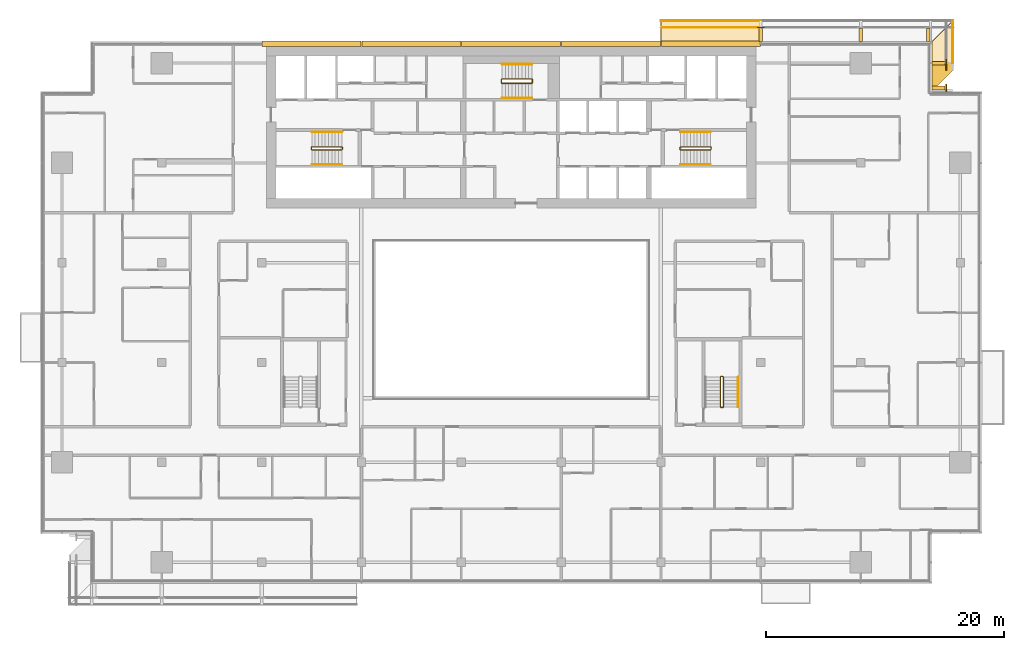
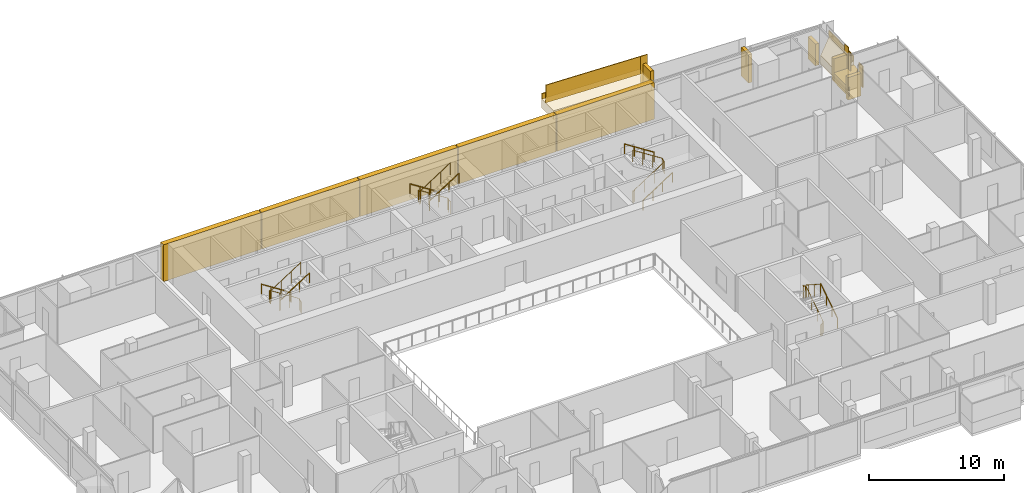
# One storey, part 27 of 30: 16 railings, 15 coverings.
"""IFC4 building model written with IfcOpenShell, lengths in metres."""

import ifcopenshell
import ifcopenshell.guid

model = None  # the IFC model being written
_history = None  # IfcOwnerHistory: only IFC2X3 demands one
_inside = {}  # id of a spatial element -> (the spatial element, [elements in it])
_under = {}  # id of a project, library or spatial element -> (it, [spatial elements below it])
_declared = {}  # id of a project -> (the project, [libraries it declares])
_typed = {}  # id of a type object -> (the type object, [elements of that type])
_made_of = {}  # id of a material, layer set ... -> (it, [elements and type objects made of it])


def new_model(schema):
    """Start an empty IFC model of exactly this schema.

    Asked for "IFC4X3", IfcOpenShell would pick the latest addendum, in which some entities
    have other attributes; the version numbers below select the first issue.
    IFC2X3 requires an IfcOwnerHistory on every rooted entity: one is made here for all.
    """
    global model, _history
    if schema == "IFC4X3":
        model = ifcopenshell.file(schema_version=(4, 3, 0, 0))
    else:
        model = ifcopenshell.file(schema=schema)
    _inside.clear()
    _under.clear()
    _declared.clear()
    _typed.clear()
    _made_of.clear()
    _history = None
    if model.schema == "IFC2X3":
        org = make("IfcOrganization", Name="unknown")
        user = make(
            "IfcPersonAndOrganization",
            ThePerson=make("IfcPerson", FamilyName="unknown"),
            TheOrganization=org,
        )
        app = make(
            "IfcApplication",
            ApplicationDeveloper=org,
            Version="unknown",
            ApplicationFullName="unknown",
            ApplicationIdentifier="unknown",
        )
        _history = make(
            "IfcOwnerHistory",
            OwningUser=user,
            OwningApplication=app,
            ChangeAction="ADDED",
            CreationDate=0,
        )
    return model


def make(cls, **values):
    """One entity of the class cls with the attributes given. An attribute that is None is left unset."""
    return model.create_entity(
        cls, **{name: value for name, value in values.items() if value is not None}
    )


def rooted(cls, **values):
    """An entity with a GlobalId (a new one), such as an element, a storey or a relation."""
    return make(cls, GlobalId=ifcopenshell.guid.new(), OwnerHistory=_history, **values)


def si_unit(unit_type, name, prefix=None):
    """IfcSIUnit, for example si_unit("LENGTHUNIT", "METRE", prefix="MILLI")."""
    return make("IfcSIUnit", UnitType=unit_type, Prefix=prefix, Name=name)


def assignment(units):
    """IfcUnitAssignment: the units of a project."""
    return None if units is None else make("IfcUnitAssignment", Units=units)


def point(xyz):
    """IfcCartesianPoint."""
    return None if xyz is None else make("IfcCartesianPoint", Coordinates=xyz)


def direction(xyz):
    """IfcDirection."""
    return None if xyz is None else make("IfcDirection", DirectionRatios=xyz)


def frame(location, z_axis=None, x_axis=None):
    """IfcAxis2Placement3D, a coordinate frame: its origin and axes. An axis left out is left unset."""
    return make(
        "IfcAxis2Placement3D",
        Location=point(location),
        Axis=direction(z_axis),
        RefDirection=direction(x_axis),
    )


def frame_2d(location, x_axis=None):
    """IfcAxis2Placement2D, a coordinate frame in the plane: its origin and x axis."""
    return make(
        "IfcAxis2Placement2D", Location=point(location), RefDirection=direction(x_axis)
    )


def origin():
    """The frame at (0, 0, 0) with its axes left unset."""
    return frame((0.0, 0.0, 0.0))


def origin_2d():
    """The frame at (0, 0) in the plane with its x axis left unset."""
    return frame_2d((0.0, 0.0))


def place(relative_to, where):
    """IfcLocalPlacement: puts the frame where relative to a parent placement (None: the world)."""
    return make(
        "IfcLocalPlacement", PlacementRelTo=relative_to, RelativePlacement=where
    )


def context(
    kind, dimensions, precision=None, world=None, true_north=None, identifier=None
):
    """IfcGeometricRepresentationContext, for example the 3D "Model" context."""
    return make(
        "IfcGeometricRepresentationContext",
        ContextIdentifier=identifier,
        ContextType=kind,
        CoordinateSpaceDimension=dimensions,
        Precision=precision,
        WorldCoordinateSystem=world,
        TrueNorth=true_north,
    )


def subcontext(parent, identifier, kind, view, scale=None):
    """IfcGeometricRepresentationSubContext, for example "Body" below "Model"."""
    return make(
        "IfcGeometricRepresentationSubContext",
        ContextIdentifier=identifier,
        ContextType=kind,
        ParentContext=parent,
        TargetScale=scale,
        TargetView=view,
    )


def project(units=None, contexts=None):
    """IfcProject with its units and contexts."""
    return rooted(
        "IfcProject",
        Name="project",
        RepresentationContexts=contexts,
        UnitsInContext=assignment(units),
    )


def spatial(cls, under=None, at=None, **own):
    """A site, building, storey or space (cls), placed at a placement, below another one or the project."""
    s = rooted(cls, ObjectPlacement=at, **own)
    if under is not None:
        _under.setdefault(under.id(), (under, []))[1].append(s)
    return s


def polyline(points):
    """IfcPolyline through the points."""
    return make("IfcPolyline", Points=[point(p) for p in points])


def profile(cls, at=None, kind="AREA", **sizes):
    """A parametric profile (cls). Its sizes go by their IFC names, for example OverallWidth=200.0."""
    return make(cls, ProfileType=kind, Position=at, **sizes)


def rectangle(**sizes):
    """IfcRectangleProfileDef."""
    return profile("IfcRectangleProfileDef", **sizes)


def circle(**sizes):
    """IfcCircleProfileDef."""
    return profile("IfcCircleProfileDef", **sizes)


def outline(outer, holes=None, kind="AREA"):
    """IfcArbitraryClosedProfileDef: a profile drawn as a closed curve; with holes, ...WithVoids."""
    if holes is None:
        return make("IfcArbitraryClosedProfileDef", ProfileType=kind, OuterCurve=outer)
    return make(
        "IfcArbitraryProfileDefWithVoids",
        ProfileType=kind,
        OuterCurve=outer,
        InnerCurves=holes,
    )


def extrude(swept, where, along, depth):
    """IfcExtrudedAreaSolid: the profile swept, set in the frame where, extruded along a direction by depth."""
    return make(
        "IfcExtrudedAreaSolid",
        SweptArea=swept,
        Position=where,
        ExtrudedDirection=direction(along),
        Depth=depth,
    )


def shape(context_of_items, identifier, shape_type, items):
    """IfcShapeRepresentation: the items that make up one representation, for example the "Body"."""
    return make(
        "IfcShapeRepresentation",
        ContextOfItems=context_of_items,
        RepresentationIdentifier=identifier,
        RepresentationType=shape_type,
        Items=items,
    )


def material(Name=None, Category=None):
    """IfcMaterial."""
    return make("IfcMaterial", Name=Name, Category=Category)


def layer(
    of_material, thickness, ventilated=None, Name=None, Category=None, Priority=None
):
    """IfcMaterialLayer: one layer of a wall or slab, of a material (None: an air gap)."""
    return make(
        "IfcMaterialLayer",
        Material=of_material,
        LayerThickness=thickness,
        IsVentilated=ventilated,
        Name=Name,
        Category=Category,
        Priority=Priority,
    )


def layer_set(layers, Name=None):
    """IfcMaterialLayerSet."""
    return make("IfcMaterialLayerSet", MaterialLayers=layers, LayerSetName=Name)


def made_of(thing, what):
    """Note that an element or type object is made of a material, layer set ...; save() writes the relation."""
    if what is not None:
        _made_of.setdefault(what.id(), (what, []))[1].append(thing)
    return thing


def type_object(cls, material=None, **own):
    """A type object (cls), such as IfcWallType, which elements share."""
    return made_of(rooted(cls, **own), material)


def element(
    cls,
    number,
    at=None,
    inside=None,
    cuts=None,
    type_object=None,
    material=None,
    context=None,
    identifier="Body",
    shape_type=None,
    held_by="IfcProductDefinitionShape",
    body=None,
    shapes=None,
    **own,
):
    """One element of the class cls, such as IfcWall. Its Tag is "e" and its number.

    at: its placement. inside: the storey or other place that contains it. cuts: it is an
    opening in that element (IfcRelVoidsElement). A single representation is given by context,
    identifier, shape_type and body (its items); several are given by shapes. held_by: the class
    of the entity that holds the representations. save() writes the other relations.
    """
    e = rooted(cls, Tag="e%d" % number, ObjectPlacement=at, **own)
    if body is not None:
        shapes = [shape(context, identifier, shape_type, body)]
    if shapes is not None:
        e.Representation = make(held_by, Representations=shapes)
    if inside is not None:
        _inside.setdefault(inside.id(), (inside, []))[1].append(e)
    if cuts is not None:
        rooted(
            "IfcRelVoidsElement", RelatingBuildingElement=cuts, RelatedOpeningElement=e
        )
    if type_object is not None:
        _typed.setdefault(type_object.id(), (type_object, []))[1].append(e)
    return made_of(e, material)


def aggregate(whole, parts):
    """IfcRelAggregates: a whole, such as a stair, and the parts it consists of."""
    return rooted("IfcRelAggregates", RelatingObject=whole, RelatedObjects=parts)


def save(model, path):
    """Write the relations noted so far, then the file.

    IfcRelAggregates (storeys below a building ...), IfcRelContainedInSpatialStructure (elements
    in a storey), IfcRelDefinesByType, IfcRelAssociatesMaterial and IfcRelDeclares: one each for
    every whole, place, type object, material and project.
    """
    for whole, parts in _under.values():
        aggregate(whole, parts)
    for where, things in _inside.values():
        rooted(
            "IfcRelContainedInSpatialStructure",
            RelatedElements=things,
            RelatingStructure=where,
        )
    for kind, things in _typed.values():
        rooted("IfcRelDefinesByType", RelatedObjects=things, RelatingType=kind)
    for what, things in _made_of.values():
        rooted("IfcRelAssociatesMaterial", RelatedObjects=things, RelatingMaterial=what)
    for by, libraries in _declared.values():
        rooted("IfcRelDeclares", RelatingContext=by, RelatedDefinitions=libraries)
    model.write(path)


model = new_model("IFC4")

# Units and contexts
model_context = context("Model", 3, precision=1e-05, world=origin(), true_north=direction((0.0, 1.0)))
body_context = subcontext(model_context, "Body", "Model", "MODEL_VIEW")
ifc_project = project(units=[si_unit("LENGTHUNIT", "METRE"), si_unit("AREAUNIT", "SQUARE_METRE"), si_unit("VOLUMEUNIT", "CUBIC_METRE"), si_unit("PLANEANGLEUNIT", "RADIAN"), si_unit("MASSUNIT", "GRAM", prefix="KILO")], contexts=[model_context])

# Site, building, storey
site_placement = place(None, origin())
site = spatial("IfcSite", under=ifc_project, at=site_placement, CompositionType="ELEMENT")
building_placement = place(site_placement, origin())
building = spatial("IfcBuilding", under=site, at=building_placement, Name="Saffron Gate Tower", CompositionType="ELEMENT")
storey_placement = place(building_placement, frame((0.0, 0.0, 169.050048828125)))
storey = spatial("IfcBuildingStorey", under=building, at=storey_placement, Name="L41", CompositionType="ELEMENT", Elevation=169.050048828125)

# Coverings
ifc_material_1 = material(Name="Ceramic-printed bronze insulated panel")
ifc_layer_1 = layer(ifc_material_1, 0.43994140625)
ifc_layer_set_1 = layer_set([ifc_layer_1], Name="CLD3 ceramic-printed cladding panel 440")
covering_type_1 = type_object("IfcCoveringType", Name="CLD3 ceramic-printed cladding panel 440", PredefinedType="CLADDING", material=ifc_layer_set_1)
covering_1_placement = place(storey_placement, origin())
element("IfcCovering", 1, at=covering_1_placement, inside=storey, type_object=covering_type_1, Name="CLADDING ceramic-printed panel", PredefinedType="CLADDING", context=body_context, shape_type="SweptSolid", body=[
    extrude(outline(polyline([(108.56494140625, 75.639892578125), (100.235107421875, 75.639892578125), (100.235107421875, 75.199951171875), (108.56494140625, 75.199951171875), (108.56494140625, 75.639892578125)])), origin(), (0.0, 0.0, 1.0), 3.320068359375),
])
covering_2_placement = place(storey_placement, origin())
element("IfcCovering", 2, at=covering_2_placement, inside=storey, type_object=covering_type_1, Name="CLADDING ceramic-printed panel", PredefinedType="CLADDING", context=body_context, shape_type="SweptSolid", body=[
    extrude(outline(polyline([(100.1650390625, 75.639892578125), (91.8349609375, 75.639892578125), (91.8349609375, 75.199951171875), (100.1650390625, 75.199951171875), (100.1650390625, 75.639892578125)])), origin(), (0.0, 0.0, 1.0), 3.320068359375),
])
covering_3_placement = place(storey_placement, origin())
element("IfcCovering", 3, at=covering_3_placement, inside=storey, type_object=covering_type_1, Name="CLADDING ceramic-printed panel", PredefinedType="CLADDING", context=body_context, shape_type="SweptSolid", body=[
    extrude(outline(polyline([(91.764892578125, 75.639892578125), (83.43505859375, 75.639892578125), (83.43505859375, 75.199951171875), (91.764892578125, 75.199951171875), (91.764892578125, 75.639892578125)])), origin(), (0.0, 0.0, 1.0), 3.320068359375),
])
covering_4_placement = place(storey_placement, origin())
element("IfcCovering", 4, at=covering_4_placement, inside=storey, type_object=covering_type_1, Name="CLADDING ceramic-printed panel", PredefinedType="CLADDING", context=body_context, shape_type="SweptSolid", body=[
    extrude(outline(polyline([(83.364990234375, 75.639892578125), (75.034912109375, 75.639892578125), (75.034912109375, 75.199951171875), (83.364990234375, 75.199951171875), (83.364990234375, 75.639892578125)])), origin(), (0.0, 0.0, 1.0), 3.320068359375),
])
covering_5_placement = place(storey_placement, origin())
element("IfcCovering", 5, at=covering_5_placement, inside=storey, type_object=covering_type_1, Name="CLADDING ceramic-printed panel", PredefinedType="CLADDING", context=body_context, shape_type="SweptSolid", body=[
    extrude(outline(polyline([(74.965087890625, 75.639892578125), (66.635009765625, 75.639892578125), (66.635009765625, 75.199951171875), (74.965087890625, 75.199951171875), (74.965087890625, 75.639892578125)])), origin(), (0.0, 0.0, 1.0), 3.320068359375),
])

# Railings
ifc_material_2 = material(Name="Stainless steel and laminated glass", Category="steel")
railing_type_1 = type_object("IfcRailingType", Name="CR1 Stair guard 1100", PredefinedType="GUARDRAIL", material=ifc_material_2)
railing_1_placement = place(storey_placement, frame((73.39990234375, 66.550048828125, 0.0)))
element("IfcRailing", 6, at=railing_1_placement, inside=storey, type_object=railing_type_1, Name="L41 ST-A stair guard 1", PredefinedType="GUARDRAIL", context=body_context, shape_type="SweptSolid", body=[
    extrude(circle(Radius=0.02392578125, at=origin_2d()), frame((0.0, 0.0, 1.076171875), z_axis=(0.0, 1.0, 0.0), x_axis=(-1.0, 0.0, 0.0)), (0.0, 0.0, 1.0), 0.14990234375),
    extrude(circle(Radius=0.02392578125, at=origin_2d()), frame((0.0, 0.14990234375, 1.076171875), z_axis=(-0.257669022063, 0.258932105505, 0.930892496375), x_axis=(-0.708833529934, -0.705375805398, 0.0)), (0.0, 0.0, 1.0), 0.193359375),
    extrude(circle(Radius=0.02392578125, at=origin_2d()), frame((-0.0498046875, 0.199951171875, 1.255859375), z_axis=(-0.841162588446, 0.0, 0.540782303519), x_axis=(0.0, -1.0, 0.0)), (0.0, 0.0, 1.0), 2.995849609375),
    extrude(circle(Radius=0.02392578125, at=origin_2d()), frame((-2.56982421875, 0.199951171875, 2.8759765625), z_axis=(-0.707106781187, -0.707106781187, 0.0), x_axis=(0.707106781187, -0.707106781187, 0.0)), (0.0, 0.0, 1.0), 0.07080078125),
    extrude(circle(Radius=0.02392578125, at=origin_2d()), frame((-2.619873046875, 0.14990234375, 2.8759765625), z_axis=(0.0, -1.0, 0.0), x_axis=(1.0, 0.0, 0.0)), (0.0, 0.0, 1.0), 0.14990234375),
    extrude(circle(Radius=0.02392578125, at=origin_2d()), frame((-2.619873046875, 0.0, 2.8759765625), z_axis=(0.258847668887, -0.258847668887, 0.930588936439), x_axis=(0.707106781187, 0.707106781187, 0.0)), (0.0, 0.0, 1.0), 0.193359375),
    extrude(circle(Radius=0.02392578125, at=origin_2d()), frame((-2.56982421875, -0.050048828125, 3.05615234375), z_axis=(0.841199657755, 0.0, 0.540724639528), x_axis=(0.0, 1.0, 0.0)), (0.0, 0.0, 1.0), 2.995849609375),
    extrude(circle(Radius=0.02099609375, at=origin_2d()), origin(), (0.0, 0.0, 1.0), 1.052001953125),
    extrude(circle(Radius=0.02099609375, at=origin_2d()), frame((0.0, 0.14990234375, 0.0)), (0.0, 0.0, 1.0), 1.052001953125),
    extrude(circle(Radius=0.02099609375, at=origin_2d()), frame((-0.0498046875, 0.199951171875, 0.179931640625)), (0.0, 0.0, 1.0), 1.052001953125),
    extrude(circle(Radius=0.02099609375, at=origin_2d()), frame((-0.889892578125, 0.199951171875, 0.719970703125)), (0.0, 0.0, 1.0), 1.052001953125),
    extrude(circle(Radius=0.02099609375, at=origin_2d()), frame((-1.729736328125, 0.199951171875, 1.260009765625)), (0.0, 0.0, 1.0), 1.052001953125),
    extrude(circle(Radius=0.02099609375, at=origin_2d()), frame((-2.56982421875, 0.199951171875, 1.800048828125)), (0.0, 0.0, 1.0), 1.052001953125),
    extrude(circle(Radius=0.02099609375, at=origin_2d()), frame((-2.619873046875, 0.14990234375, 1.800048828125)), (0.0, 0.0, 1.0), 1.052001953125),
    extrude(circle(Radius=0.02099609375, at=origin_2d()), frame((-2.619873046875, 0.0, 1.800048828125)), (0.0, 0.0, 1.0), 1.052001953125),
    extrude(circle(Radius=0.02099609375, at=origin_2d()), frame((-2.56982421875, -0.050048828125, 1.97998046875)), (0.0, 0.0, 1.0), 1.052001953125),
    extrude(circle(Radius=0.02099609375, at=origin_2d()), frame((-1.729736328125, -0.050048828125, 2.52001953125)), (0.0, 0.0, 1.0), 1.052001953125),
    extrude(circle(Radius=0.02099609375, at=origin_2d()), frame((-0.889892578125, -0.050048828125, 3.059814453125)), (0.0, 0.0, 1.0), 1.052001953125),
    extrude(circle(Radius=0.02099609375, at=origin_2d()), frame((-0.0498046875, -0.050048828125, 3.599853515625)), (0.0, 0.0, 1.0), 1.052001953125),
])
railing_2_placement = place(storey_placement, frame((101.800048828125, 66.699951171875, 0.0)))
element("IfcRailing", 7, at=railing_2_placement, inside=storey, type_object=railing_type_1, Name="L41 ST-B stair guard 1", PredefinedType="GUARDRAIL", context=body_context, shape_type="SweptSolid", body=[
    extrude(circle(Radius=0.02392578125, at=origin_2d()), frame((0.0, 0.0, 1.076171875), z_axis=(0.0, -1.0, 0.0), x_axis=(1.0, 0.0, 0.0)), (0.0, 0.0, 1.0), 0.14990234375),
    extrude(circle(Radius=0.02392578125, at=origin_2d()), frame((0.0, -0.14990234375, 1.076171875), z_axis=(0.258847668887, -0.258847668887, 0.930588936439), x_axis=(0.707106781187, 0.707106781187, 0.0)), (0.0, 0.0, 1.0), 0.193359375),
    extrude(circle(Radius=0.02392578125, at=origin_2d()), frame((0.050048828125, -0.199951171875, 1.255859375), z_axis=(0.841162588446, 0.0, 0.540782303519), x_axis=(0.0, 1.0, 0.0)), (0.0, 0.0, 1.0), 2.995849609375),
    extrude(circle(Radius=0.02392578125, at=origin_2d()), frame((2.570068359375, -0.199951171875, 2.8759765625), z_axis=(0.705375805398, 0.708833529934, 0.0), x_axis=(-0.708833529934, 0.705375805398, 0.0)), (0.0, 0.0, 1.0), 0.070556640625),
    extrude(circle(Radius=0.02392578125, at=origin_2d()), frame((2.619873046875, -0.14990234375, 2.8759765625), z_axis=(0.0, 1.0, 0.0), x_axis=(-1.0, 0.0, 0.0)), (0.0, 0.0, 1.0), 0.14990234375),
    extrude(circle(Radius=0.02392578125, at=origin_2d()), frame((2.619873046875, 0.0, 2.8759765625), z_axis=(-0.257669022063, 0.258932105505, 0.930892496375), x_axis=(-0.708833529934, -0.705375805398, 0.0)), (0.0, 0.0, 1.0), 0.193359375),
    extrude(circle(Radius=0.02392578125, at=origin_2d()), frame((2.570068359375, 0.050048828125, 3.05615234375), z_axis=(-0.841199657755, 0.0, 0.540724639528), x_axis=(0.0, -1.0, 0.0)), (0.0, 0.0, 1.0), 2.995849609375),
    extrude(circle(Radius=0.02099609375, at=origin_2d()), origin(), (0.0, 0.0, 1.0), 1.052001953125),
    extrude(circle(Radius=0.02099609375, at=origin_2d()), frame((0.0, -0.14990234375, 0.0)), (0.0, 0.0, 1.0), 1.052001953125),
    extrude(circle(Radius=0.02099609375, at=origin_2d()), frame((0.050048828125, -0.199951171875, 0.179931640625)), (0.0, 0.0, 1.0), 1.052001953125),
    extrude(circle(Radius=0.02099609375, at=origin_2d()), frame((0.89013671875, -0.199951171875, 0.719970703125)), (0.0, 0.0, 1.0), 1.052001953125),
    extrude(circle(Radius=0.02099609375, at=origin_2d()), frame((1.72998046875, -0.199951171875, 1.260009765625)), (0.0, 0.0, 1.0), 1.052001953125),
    extrude(circle(Radius=0.02099609375, at=origin_2d()), frame((2.570068359375, -0.199951171875, 1.800048828125)), (0.0, 0.0, 1.0), 1.052001953125),
    extrude(circle(Radius=0.02099609375, at=origin_2d()), frame((2.619873046875, -0.14990234375, 1.800048828125)), (0.0, 0.0, 1.0), 1.052001953125),
    extrude(circle(Radius=0.02099609375, at=origin_2d()), frame((2.619873046875, 0.0, 1.800048828125)), (0.0, 0.0, 1.0), 1.052001953125),
    extrude(circle(Radius=0.02099609375, at=origin_2d()), frame((2.570068359375, 0.050048828125, 1.97998046875)), (0.0, 0.0, 1.0), 1.052001953125),
    extrude(circle(Radius=0.02099609375, at=origin_2d()), frame((1.72998046875, 0.050048828125, 2.52001953125)), (0.0, 0.0, 1.0), 1.052001953125),
    extrude(circle(Radius=0.02099609375, at=origin_2d()), frame((0.89013671875, 0.050048828125, 3.059814453125)), (0.0, 0.0, 1.0), 1.052001953125),
    extrude(circle(Radius=0.02099609375, at=origin_2d()), frame((0.050048828125, 0.050048828125, 3.599853515625)), (0.0, 0.0, 1.0), 1.052001953125),
])
railing_3_placement = place(storey_placement, frame((89.39990234375, 72.14990234375, 0.0)))
element("IfcRailing", 8, at=railing_3_placement, inside=storey, type_object=railing_type_1, Name="L41 ST-C stair guard 1", PredefinedType="GUARDRAIL", context=body_context, shape_type="SweptSolid", body=[
    extrude(circle(Radius=0.02392578125, at=origin_2d()), frame((0.0, 0.0, 1.076171875), z_axis=(0.0, 1.0, 0.0), x_axis=(-1.0, 0.0, 0.0)), (0.0, 0.0, 1.0), 0.25),
    extrude(circle(Radius=0.02392578125, at=origin_2d()), frame((0.0, 0.25, 1.076171875), z_axis=(-0.257669022063, 0.258932105505, 0.930892496375), x_axis=(-0.708833529934, -0.705375805398, 0.0)), (0.0, 0.0, 1.0), 0.193359375),
    extrude(circle(Radius=0.02392578125, at=origin_2d()), frame((-0.0498046875, 0.300048828125, 1.255859375), z_axis=(-0.841162588446, 0.0, 0.540782303519), x_axis=(0.0, -1.0, 0.0)), (0.0, 0.0, 1.0), 2.995849609375),
    extrude(circle(Radius=0.02392578125, at=origin_2d()), frame((-2.56982421875, 0.300048828125, 2.8759765625), z_axis=(-0.707106781187, -0.707106781187, 0.0), x_axis=(0.707106781187, -0.707106781187, 0.0)), (0.0, 0.0, 1.0), 0.07080078125),
    extrude(circle(Radius=0.02392578125, at=origin_2d()), frame((-2.619873046875, 0.25, 2.8759765625), z_axis=(0.0, -1.0, 0.0), x_axis=(1.0, 0.0, 0.0)), (0.0, 0.0, 1.0), 0.25),
    extrude(circle(Radius=0.02392578125, at=origin_2d()), frame((-2.619873046875, 0.0, 2.8759765625), z_axis=(0.258932105505, -0.257669022063, 0.930892496375), x_axis=(0.705375805398, 0.708833529934, 0.0)), (0.0, 0.0, 1.0), 0.193359375),
    extrude(circle(Radius=0.02392578125, at=origin_2d()), frame((-2.56982421875, -0.0498046875, 3.05615234375), z_axis=(0.841199657755, 0.0, 0.540724639528), x_axis=(0.0, 1.0, 0.0)), (0.0, 0.0, 1.0), 2.995849609375),
    extrude(circle(Radius=0.02099609375, at=origin_2d()), origin(), (0.0, 0.0, 1.0), 1.052001953125),
    extrude(circle(Radius=0.02099609375, at=origin_2d()), frame((0.0, 0.25, 0.0)), (0.0, 0.0, 1.0), 1.052001953125),
    extrude(circle(Radius=0.02099609375, at=origin_2d()), frame((-0.0498046875, 0.300048828125, 0.179931640625)), (0.0, 0.0, 1.0), 1.052001953125),
    extrude(circle(Radius=0.02099609375, at=origin_2d()), frame((-0.889892578125, 0.300048828125, 0.719970703125)), (0.0, 0.0, 1.0), 1.052001953125),
    extrude(circle(Radius=0.02099609375, at=origin_2d()), frame((-1.729736328125, 0.300048828125, 1.260009765625)), (0.0, 0.0, 1.0), 1.052001953125),
    extrude(circle(Radius=0.02099609375, at=origin_2d()), frame((-2.56982421875, 0.300048828125, 1.800048828125)), (0.0, 0.0, 1.0), 1.052001953125),
    extrude(circle(Radius=0.02099609375, at=origin_2d()), frame((-2.619873046875, 0.25, 1.800048828125)), (0.0, 0.0, 1.0), 1.052001953125),
    extrude(circle(Radius=0.02099609375, at=origin_2d()), frame((-2.619873046875, 0.0, 1.800048828125)), (0.0, 0.0, 1.0), 1.052001953125),
    extrude(circle(Radius=0.02099609375, at=origin_2d()), frame((-2.56982421875, -0.0498046875, 1.97998046875)), (0.0, 0.0, 1.0), 1.052001953125),
    extrude(circle(Radius=0.02099609375, at=origin_2d()), frame((-1.729736328125, -0.0498046875, 2.52001953125)), (0.0, 0.0, 1.0), 1.052001953125),
    extrude(circle(Radius=0.02099609375, at=origin_2d()), frame((-0.889892578125, -0.0498046875, 3.059814453125)), (0.0, 0.0, 1.0), 1.052001953125),
    extrude(circle(Radius=0.02099609375, at=origin_2d()), frame((-0.0498046875, -0.0498046875, 3.599853515625)), (0.0, 0.0, 1.0), 1.052001953125),
])
railing_4_placement = place(storey_placement, frame((105.25, 44.800048828125, 0.0)))
element("IfcRailing", 9, at=railing_4_placement, inside=storey, type_object=railing_type_1, Name="L41 ST-E stair guard 1", PredefinedType="GUARDRAIL", context=body_context, shape_type="SweptSolid", body=[
    extrude(circle(Radius=0.02392578125, at=origin_2d()), frame((0.0, 0.0, 1.076171875), z_axis=(1.0, 0.0, 0.0), x_axis=(0.0, 1.0, 0.0)), (0.0, 0.0, 1.0), 0.14990234375),
    extrude(circle(Radius=0.02392578125, at=origin_2d()), frame((0.14990234375, 0.0, 1.076171875), z_axis=(0.258847668887, 0.258847668887, 0.930588936439), x_axis=(-0.707106781187, 0.707106781187, 0.0)), (0.0, 0.0, 1.0), 0.193359375),
    extrude(circle(Radius=0.02392578125, at=origin_2d()), frame((0.199951171875, 0.050048828125, 1.255859375), z_axis=(0.0, 0.841162588446, 0.540782303519), x_axis=(-1.0, 0.0, 0.0)), (0.0, 0.0, 1.0), 2.995849609375),
    extrude(circle(Radius=0.02392578125, at=origin_2d()), frame((0.199951171875, 2.570068359375, 2.8759765625), z_axis=(-0.708833529934, 0.705375805398, 0.0), x_axis=(-0.705375805398, -0.708833529934, 0.0)), (0.0, 0.0, 1.0), 0.070556640625),
    extrude(circle(Radius=0.02392578125, at=origin_2d()), frame((0.14990234375, 2.619873046875, 2.8759765625), z_axis=(-1.0, 0.0, 0.0), x_axis=(0.0, -1.0, 0.0)), (0.0, 0.0, 1.0), 0.14990234375),
    extrude(circle(Radius=0.02392578125, at=origin_2d()), frame((0.0, 2.619873046875, 2.8759765625), z_axis=(-0.258932105505, -0.257669022063, 0.930892496375), x_axis=(0.705375805398, -0.708833529934, 0.0)), (0.0, 0.0, 1.0), 0.193359375),
    extrude(circle(Radius=0.02392578125, at=origin_2d()), frame((-0.050048828125, 2.570068359375, 3.05615234375), z_axis=(0.0, -0.841199657755, 0.540724639528), x_axis=(1.0, 0.0, 0.0)), (0.0, 0.0, 1.0), 2.995849609375),
    extrude(circle(Radius=0.02099609375, at=origin_2d()), origin(), (0.0, 0.0, 1.0), 1.052001953125),
    extrude(circle(Radius=0.02099609375, at=origin_2d()), frame((0.14990234375, 0.0, 0.0)), (0.0, 0.0, 1.0), 1.052001953125),
    extrude(circle(Radius=0.02099609375, at=origin_2d()), frame((0.199951171875, 0.050048828125, 0.179931640625)), (0.0, 0.0, 1.0), 1.052001953125),
    extrude(circle(Radius=0.02099609375, at=origin_2d()), frame((0.199951171875, 0.89013671875, 0.719970703125)), (0.0, 0.0, 1.0), 1.052001953125),
    extrude(circle(Radius=0.02099609375, at=origin_2d()), frame((0.199951171875, 1.72998046875, 1.260009765625)), (0.0, 0.0, 1.0), 1.052001953125),
    extrude(circle(Radius=0.02099609375, at=origin_2d()), frame((0.199951171875, 2.570068359375, 1.800048828125)), (0.0, 0.0, 1.0), 1.052001953125),
    extrude(circle(Radius=0.02099609375, at=origin_2d()), frame((0.14990234375, 2.619873046875, 1.800048828125)), (0.0, 0.0, 1.0), 1.052001953125),
    extrude(circle(Radius=0.02099609375, at=origin_2d()), frame((0.0, 2.619873046875, 1.800048828125)), (0.0, 0.0, 1.0), 1.052001953125),
    extrude(circle(Radius=0.02099609375, at=origin_2d()), frame((-0.050048828125, 2.570068359375, 1.97998046875)), (0.0, 0.0, 1.0), 1.052001953125),
    extrude(circle(Radius=0.02099609375, at=origin_2d()), frame((-0.050048828125, 1.72998046875, 2.52001953125)), (0.0, 0.0, 1.0), 1.052001953125),
    extrude(circle(Radius=0.02099609375, at=origin_2d()), frame((-0.050048828125, 0.89013671875, 3.059814453125)), (0.0, 0.0, 1.0), 1.052001953125),
    extrude(circle(Radius=0.02099609375, at=origin_2d()), frame((-0.050048828125, 0.050048828125, 3.599853515625)), (0.0, 0.0, 1.0), 1.052001953125),
])
ifc_material_3 = material(Name="Stainless steel", Category="steel")
railing_type_2 = type_object("IfcRailingType", Name="CR2 Stair handrail 900", PredefinedType="HANDRAIL", material=ifc_material_3)
railing_5_placement = place(storey_placement, frame((73.35009765625, 68.0, 0.179931640625)))
element("IfcRailing", 10, at=railing_5_placement, inside=storey, type_object=railing_type_2, Name="L41 ST-A stair handrail 1", PredefinedType="HANDRAIL", context=body_context, shape_type="SweptSolid", body=[
    extrude(circle(Radius=0.02392578125, at=origin_2d()), frame((0.0, 0.0, 0.8759765625), z_axis=(-0.841162588446, 0.0, 0.540782303519), x_axis=(0.0, -1.0, 0.0)), (0.0, 0.0, 1.0), 2.995849609375),
    extrude(circle(Radius=0.02099609375, at=origin_2d()), origin(), (0.0, 0.0, 1.0), 0.851806640625),
    extrude(circle(Radius=0.02099609375, at=origin_2d()), frame((-0.840087890625, 0.0, 0.5400390625)), (0.0, 0.0, 1.0), 0.851806640625),
    extrude(circle(Radius=0.02099609375, at=origin_2d()), frame((-1.679931640625, 0.0, 1.080078125)), (0.0, 0.0, 1.0), 0.851806640625),
    extrude(circle(Radius=0.02099609375, at=origin_2d()), frame((-2.52001953125, 0.0, 1.6201171875)), (0.0, 0.0, 1.0), 0.851806640625),
])
railing_6_placement = place(storey_placement, frame((70.830078125, 65.25, 1.97998046875)))
element("IfcRailing", 11, at=railing_6_placement, inside=storey, type_object=railing_type_2, Name="L41 ST-A stair handrail 2", PredefinedType="HANDRAIL", context=body_context, shape_type="SweptSolid", body=[
    extrude(circle(Radius=0.02392578125, at=origin_2d()), frame((0.0, 0.0, 0.8759765625), z_axis=(0.841199657755, 0.0, 0.540724639528), x_axis=(0.0, 1.0, 0.0)), (0.0, 0.0, 1.0), 2.995849609375),
    extrude(circle(Radius=0.02099609375, at=origin_2d()), origin(), (0.0, 0.0, 1.0), 0.851806640625),
    extrude(circle(Radius=0.02099609375, at=origin_2d()), frame((0.840087890625, 0.0, 0.5400390625)), (0.0, 0.0, 1.0), 0.851806640625),
    extrude(circle(Radius=0.02099609375, at=origin_2d()), frame((1.679931640625, 0.0, 1.079833984375)), (0.0, 0.0, 1.0), 0.851806640625),
    extrude(circle(Radius=0.02099609375, at=origin_2d()), frame((2.52001953125, 0.0, 1.619873046875)), (0.0, 0.0, 1.0), 0.851806640625),
])
railing_7_placement = place(storey_placement, frame((101.85009765625, 65.25, 0.179931640625)))
element("IfcRailing", 12, at=railing_7_placement, inside=storey, type_object=railing_type_2, Name="L41 ST-B stair handrail 1", PredefinedType="HANDRAIL", context=body_context, shape_type="SweptSolid", body=[
    extrude(circle(Radius=0.02392578125, at=origin_2d()), frame((0.0, 0.0, 0.8759765625), z_axis=(0.841162588446, 0.0, 0.540782303519), x_axis=(0.0, 1.0, 0.0)), (0.0, 0.0, 1.0), 2.995849609375),
    extrude(circle(Radius=0.02099609375, at=origin_2d()), origin(), (0.0, 0.0, 1.0), 0.851806640625),
    extrude(circle(Radius=0.02099609375, at=origin_2d()), frame((0.840087890625, 0.0, 0.5400390625)), (0.0, 0.0, 1.0), 0.851806640625),
    extrude(circle(Radius=0.02099609375, at=origin_2d()), frame((1.679931640625, 0.0, 1.080078125)), (0.0, 0.0, 1.0), 0.851806640625),
    extrude(circle(Radius=0.02099609375, at=origin_2d()), frame((2.52001953125, 0.0, 1.6201171875)), (0.0, 0.0, 1.0), 0.851806640625),
])
railing_8_placement = place(storey_placement, frame((104.3701171875, 68.0, 1.97998046875)))
element("IfcRailing", 13, at=railing_8_placement, inside=storey, type_object=railing_type_2, Name="L41 ST-B stair handrail 2", PredefinedType="HANDRAIL", context=body_context, shape_type="SweptSolid", body=[
    extrude(circle(Radius=0.02392578125, at=origin_2d()), frame((0.0, 0.0, 0.8759765625), z_axis=(-0.841199657755, 0.0, 0.540724639528), x_axis=(0.0, -1.0, 0.0)), (0.0, 0.0, 1.0), 2.995849609375),
    extrude(circle(Radius=0.02099609375, at=origin_2d()), origin(), (0.0, 0.0, 1.0), 0.851806640625),
    extrude(circle(Radius=0.02099609375, at=origin_2d()), frame((-0.840087890625, 0.0, 0.5400390625)), (0.0, 0.0, 1.0), 0.851806640625),
    extrude(circle(Radius=0.02099609375, at=origin_2d()), frame((-1.679931640625, 0.0, 1.079833984375)), (0.0, 0.0, 1.0), 0.851806640625),
    extrude(circle(Radius=0.02099609375, at=origin_2d()), frame((-2.52001953125, 0.0, 1.619873046875)), (0.0, 0.0, 1.0), 0.851806640625),
])
railing_9_placement = place(storey_placement, frame((89.35009765625, 73.699951171875, 0.179931640625)))
element("IfcRailing", 14, at=railing_9_placement, inside=storey, type_object=railing_type_2, Name="L41 ST-C stair handrail 1", PredefinedType="HANDRAIL", context=body_context, shape_type="SweptSolid", body=[
    extrude(circle(Radius=0.02392578125, at=origin_2d()), frame((0.0, 0.0, 0.8759765625), z_axis=(-0.841162588446, 0.0, 0.540782303519), x_axis=(0.0, -1.0, 0.0)), (0.0, 0.0, 1.0), 2.995849609375),
    extrude(circle(Radius=0.02099609375, at=origin_2d()), origin(), (0.0, 0.0, 1.0), 0.851806640625),
    extrude(circle(Radius=0.02099609375, at=origin_2d()), frame((-0.840087890625, 0.0, 0.5400390625)), (0.0, 0.0, 1.0), 0.851806640625),
    extrude(circle(Radius=0.02099609375, at=origin_2d()), frame((-1.679931640625, 0.0, 1.080078125)), (0.0, 0.0, 1.0), 0.851806640625),
    extrude(circle(Radius=0.02099609375, at=origin_2d()), frame((-2.52001953125, 0.0, 1.6201171875)), (0.0, 0.0, 1.0), 0.851806640625),
])
railing_10_placement = place(storey_placement, frame((86.830078125, 70.85009765625, 1.97998046875)))
element("IfcRailing", 15, at=railing_10_placement, inside=storey, type_object=railing_type_2, Name="L41 ST-C stair handrail 2", PredefinedType="HANDRAIL", context=body_context, shape_type="SweptSolid", body=[
    extrude(circle(Radius=0.02392578125, at=origin_2d()), frame((0.0, 0.0, 0.8759765625), z_axis=(0.841199657755, 0.0, 0.540724639528), x_axis=(0.0, 1.0, 0.0)), (0.0, 0.0, 1.0), 2.995849609375),
    extrude(circle(Radius=0.02099609375, at=origin_2d()), origin(), (0.0, 0.0, 1.0), 0.851806640625),
    extrude(circle(Radius=0.02099609375, at=origin_2d()), frame((0.840087890625, 0.0, 0.5400390625)), (0.0, 0.0, 1.0), 0.851806640625),
    extrude(circle(Radius=0.02099609375, at=origin_2d()), frame((1.679931640625, 0.0, 1.079833984375)), (0.0, 0.0, 1.0), 0.851806640625),
    extrude(circle(Radius=0.02099609375, at=origin_2d()), frame((2.52001953125, 0.0, 1.619873046875)), (0.0, 0.0, 1.0), 0.851806640625),
])
railing_11_placement = place(storey_placement, frame((106.699951171875, 44.85009765625, 0.179931640625)))
element("IfcRailing", 16, at=railing_11_placement, inside=storey, type_object=railing_type_2, Name="L41 ST-E stair handrail 1", PredefinedType="HANDRAIL", context=body_context, shape_type="SweptSolid", body=[
    extrude(circle(Radius=0.02392578125, at=origin_2d()), frame((0.0, 0.0, 0.8759765625), z_axis=(0.0, 0.841162588446, 0.540782303519), x_axis=(-1.0, 0.0, 0.0)), (0.0, 0.0, 1.0), 2.995849609375),
    extrude(circle(Radius=0.02099609375, at=origin_2d()), origin(), (0.0, 0.0, 1.0), 0.851806640625),
    extrude(circle(Radius=0.02099609375, at=origin_2d()), frame((0.0, 0.840087890625, 0.5400390625)), (0.0, 0.0, 1.0), 0.851806640625),
    extrude(circle(Radius=0.02099609375, at=origin_2d()), frame((0.0, 1.679931640625, 1.080078125)), (0.0, 0.0, 1.0), 0.851806640625),
    extrude(circle(Radius=0.02099609375, at=origin_2d()), frame((0.0, 2.52001953125, 1.6201171875)), (0.0, 0.0, 1.0), 0.851806640625),
])

# Coverings
ifc_material_4 = material(Name="Timber, thermally modified ash", Category="wood")
ifc_layer_2 = layer(ifc_material_4, 0.800048828125)
ifc_layer_set_2 = layer_set([ifc_layer_2], Name="LD1 ledge timber")
covering_type_2 = type_object("IfcCoveringType", Name="LD1 ledge timber", PredefinedType="CLADDING", material=ifc_layer_set_2)
covering_6_placement = place(storey_placement, frame((123.0, 71.39990234375, 0.0078125), z_axis=(2.6333678e-05, -0.028794305201, 0.999585357683), x_axis=(5.2e-10, 0.99958535803, 0.028794305211)))
element("IfcCovering", 17, at=covering_6_placement, inside=storey, type_object=covering_type_2, Name="LEDGE", PredefinedType="CLADDING", context=body_context, shape_type="SweptSolid", body=[
    extrude(outline(polyline([(0.0, 0.0), (2.401140733194568, 0.0), (2.4011407341303483, -1.8000488275008664), (1.8007927835182762, -1.8000488290612322), (0.0, 0.0)])), origin(), (0.0, 0.0, -1.0), 0.800048828125),
])
covering_7_placement = place(storey_placement, frame((123.0, 73.800048828125, 0.419921875), z_axis=(-4.6492774e-05, -0.028788135707, 0.99958553465), x_axis=(-2.161e-09, 0.99958553573, 0.028788135738)))
element("IfcCovering", 18, at=covering_7_placement, inside=storey, type_object=covering_type_2, Name="LEDGE", PredefinedType="CLADDING", context=body_context, shape_type="SweptSolid", body=[
    extrude(outline(polyline([(0.0, 0.0), (1.8007927831333284, -4.235164736271502e-22), (3.6013485512933356, -1.8000488378518529), (-3.889338571966608e-09, -1.8000488261795269), (0.0, 0.0)])), origin(), (0.0, 0.0, -1.0), 0.800048828125),
])
covering_8_placement = place(storey_placement, frame((108.60009765625, 75.60009765625, 3.20166015625), z_axis=(0.028790339263, 0.0, 0.999585472266), x_axis=(-0.999585472266, 0.0, 0.028790339263)))
element("IfcCovering", 19, at=covering_8_placement, inside=storey, type_object=covering_type_2, Name="LEDGE", PredefinedType="CLADDING", context=body_context, shape_type="SweptSolid", body=[
    extrude(outline(polyline([(0.0, 0.0), (8.403630022085892, 0.0), (8.403630022085892, -1.7998046875), (0.0, -1.7998046875), (0.0, 0.0)])), origin(), (0.0, 0.0, -1.0), 0.800048828125),
])
ifc_layer_3 = layer(ifc_material_4, 0.080078125)
ifc_layer_set_3 = layer_set([ifc_layer_3], Name="LD2 ledge planter trough")
covering_type_3 = type_object("IfcCoveringType", Name="LD2 ledge planter trough", PredefinedType="CLADDING", material=ifc_layer_set_3)
covering_9_placement = place(storey_placement, frame((124.800048828125, 73.800048828125, 0.419921875), z_axis=(1.0, 0.0, 0.0), x_axis=(0.0, 0.999584866472, 0.028811364412)))
element("IfcCovering", 20, at=covering_9_placement, inside=storey, type_object=covering_type_3, Name="LEDGE planter trough", PredefinedType="CLADDING", context=body_context, shape_type="SweptSolid", body=[
    extrude(outline(polyline([(0.0, 0.0), (3.601348556155073, 0.0), (3.6157542383609322, 0.49979243323622236), (0.01440568220585924, 0.49979243323622236), (0.0, 0.0)])), origin(), (0.0, 0.0, -1.0), 0.080078125),
])
covering_10_placement = place(storey_placement, frame((108.60009765625, 77.39990234375, 3.20166015625), z_axis=(0.0, 1.0, 0.0), x_axis=(-0.999585472266, 0.0, 0.028790339263)))
element("IfcCovering", 21, at=covering_10_placement, inside=storey, type_object=covering_type_3, Name="LEDGE planter trough", PredefinedType="CLADDING", context=body_context, shape_type="SweptSolid", body=[
    extrude(outline(polyline([(0.0, 0.0), (8.403630022085892, 0.0), (8.418025191717298, 0.4997927361329725), (0.014395169631405694, 0.4997927361329725), (0.0, 0.0)])), origin(), (0.0, 0.0, -1.0), 0.080078125),
])
ifc_layer_4 = layer(ifc_material_4, 0.300048828125)
ifc_layer_set_4 = layer_set([ifc_layer_4], Name="LD3 ledge riser fin")
covering_type_4 = type_object("IfcCoveringType", Name="LD3 ledge riser fin", PredefinedType="CLADDING", material=ifc_layer_set_4)
for number, where, z_axis, x_axis, name in (
    (22, (123.56005859375, 71.699951171875, -1.13525390625), (0.0, 0.0, 1.0), (0.0, 1.0, 0.0), "LEDGE riser fin"),
    (23, (123.56005859375, 73.800048828125, -0.72314453125), (0.0, 0.0, 1.0), (0.0, 1.0, 0.0), "LEDGE riser fin"),
):
    element("IfcCovering", number, at=place(storey_placement, frame(where, z_axis=z_axis, x_axis=x_axis)), inside=storey, type_object=covering_type_4, Name=name, PredefinedType="CLADDING", context=body_context, shape_type="SweptSolid", body=[
        extrude(rectangle(XDim=0.300048828125, YDim=1.1201171875, at=origin_2d()), origin(), (0.0, 0.0, 1.0), 2.04296875),
    ])
covering_11_placement = place(storey_placement, frame((122.699951171875, 76.159912109375, -0.328125), z_axis=(0.0, 0.0, 1.0), x_axis=(-1.0, 0.0, 0.0)))
element("IfcCovering", 24, at=covering_11_placement, inside=storey, type_object=covering_type_4, Name="LEDGE riser fin", PredefinedType="CLADDING", context=body_context, shape_type="SweptSolid", body=[
    extrude(rectangle(XDim=0.300048828125, YDim=1.1201171875, at=origin_2d()), origin(), (0.0, 0.0, 1.0), 1.957275390625),
])
covering_12_placement = place(storey_placement, frame((117.0, 76.159912109375, 0.10205078125), z_axis=(0.0, 0.0, 1.0), x_axis=(-1.0, 0.0, 0.0)))
element("IfcCovering", 25, at=covering_12_placement, inside=storey, type_object=covering_type_4, Name="LEDGE riser fin", PredefinedType="CLADDING", context=body_context, shape_type="SweptSolid", body=[
    extrude(rectangle(XDim=0.300048828125, YDim=1.1201171875, at=origin_2d()), origin(), (0.0, 0.0, 1.0), 2.557373046875),
])
covering_13_placement = place(storey_placement, frame((108.60009765625, 76.159912109375, 1.201171875), z_axis=(0.0, 0.0, 1.0), x_axis=(-1.0, 0.0, 0.0)))
element("IfcCovering", 26, at=covering_13_placement, inside=storey, type_object=covering_type_4, Name="LEDGE riser fin", PredefinedType="CLADDING", context=body_context, shape_type="SweptSolid", body=[
    extrude(rectangle(XDim=0.300048828125, YDim=1.1201171875, at=origin_2d()), origin(), (0.0, 0.0, 1.0), 2.900390625),
])

# Railings
railing_type_3 = type_object("IfcRailingType", Name="LG1 ledge balustrade", PredefinedType="BALUSTRADE", material=ifc_material_4)
railing_12_placement = place(storey_placement, frame((124.199951171875, 73.199951171875, 0.0595703125)))
element("IfcRailing", 27, at=railing_12_placement, inside=storey, type_object=railing_type_3, Name="LEDGE BALUSTRADE", PredefinedType="BALUSTRADE", context=body_context, shape_type="SweptSolid", body=[
    extrude(rectangle(XDim=0.06005859375, YDim=1.60009765625, at=origin_2d()), frame((0.0, 0.0, 0.800048828125), z_axis=(0.0, 0.999583081391, 0.028873229772), x_axis=(-1.0, 0.0, 0.0)), (0.0, 0.0, 1.0), 0.600341796875),
])
for number, where, name in (
    (28, (124.199951171875, 71.39990234375, -0.335205078125), "LEDGE BALUSTRADE"),
    (29, (124.199951171875, 73.5, 0.076904296875), "LEDGE BALUSTRADE"),
):
    element("IfcRailing", number, at=place(storey_placement, frame(where)), inside=storey, type_object=railing_type_3, Name=name, PredefinedType="BALUSTRADE", context=body_context, shape_type="SweptSolid", body=[
        extrude(rectangle(XDim=0.06005859375, YDim=1.943115234375, at=origin_2d()), frame((0.0, 0.0, 0.9716796875), z_axis=(0.0, 1.0, 0.0), x_axis=(-1.0, 0.0, 0.0)), (0.0, 0.0, 1.0), 0.60009765625),
    ])
railing_13_placement = place(storey_placement, frame((108.60009765625, 76.800048828125, 3.20166015625)))
element("IfcRailing", 30, at=railing_13_placement, inside=storey, type_object=railing_type_3, Name="LEDGE BALUSTRADE", PredefinedType="BALUSTRADE", context=body_context, shape_type="SweptSolid", body=[
    extrude(rectangle(XDim=0.06005859375, YDim=1.60009765625, at=origin_2d()), frame((0.0, 0.0, 0.800048828125), z_axis=(-0.999585472266, 0.0, 0.028790339263), x_axis=(0.0, -1.0, 0.0)), (0.0, 0.0, 1.0), 8.403564453125),
])
railing_14_placement = place(storey_placement, frame((108.89990234375, 76.800048828125, 2.001220703125)))
element("IfcRailing", 31, at=railing_14_placement, inside=storey, type_object=railing_type_3, Name="LEDGE BALUSTRADE", PredefinedType="BALUSTRADE", context=body_context, shape_type="SweptSolid", body=[
    extrude(rectangle(XDim=0.06005859375, YDim=2.80029296875, at=origin_2d()), frame((0.0, 0.0, 1.400146484375), z_axis=(-1.0, 0.0, 0.0), x_axis=(0.0, -1.0, 0.0)), (0.0, 0.0, 1.0), 0.599853515625),
])

save(model, "model.ifc")
